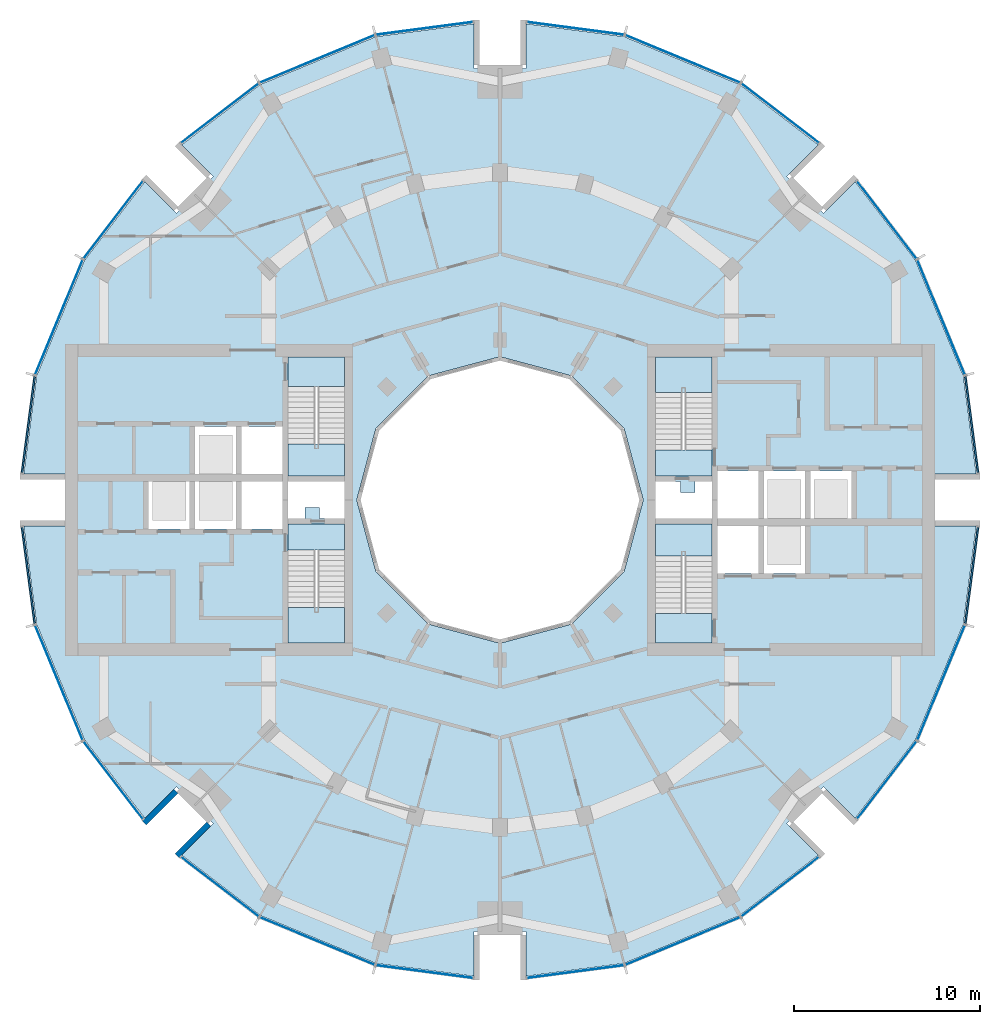
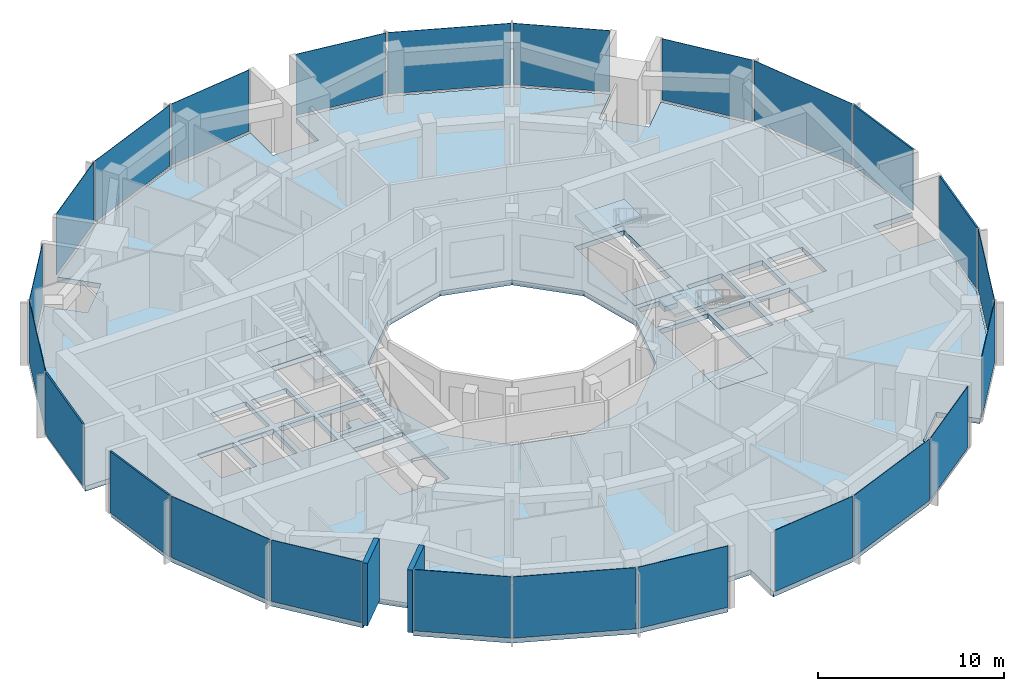
# One storey, part 7 of 15: 24 plates, 9 slabs, 2 walls, 28 elements without a shape of their own.
"""IFC4 building model written with IfcOpenShell, lengths in metres."""

import ifcopenshell
import ifcopenshell.guid

model = None  # the IFC model being written
_history = None  # IfcOwnerHistory: only IFC2X3 demands one
_inside = {}  # id of a spatial element -> (the spatial element, [elements in it])
_under = {}  # id of a project, library or spatial element -> (it, [spatial elements below it])
_declared = {}  # id of a project -> (the project, [libraries it declares])
_typed = {}  # id of a type object -> (the type object, [elements of that type])
_made_of = {}  # id of a material, layer set ... -> (it, [elements and type objects made of it])


def new_model(schema):
    """Start an empty IFC model of exactly this schema.

    Asked for "IFC4X3", IfcOpenShell would pick the latest addendum, in which some entities
    have other attributes; the version numbers below select the first issue.
    IFC2X3 requires an IfcOwnerHistory on every rooted entity: one is made here for all.
    """
    global model, _history
    if schema == "IFC4X3":
        model = ifcopenshell.file(schema_version=(4, 3, 0, 0))
    else:
        model = ifcopenshell.file(schema=schema)
    _inside.clear()
    _under.clear()
    _declared.clear()
    _typed.clear()
    _made_of.clear()
    _history = None
    if model.schema == "IFC2X3":
        org = make("IfcOrganization", Name="unknown")
        user = make(
            "IfcPersonAndOrganization",
            ThePerson=make("IfcPerson", FamilyName="unknown"),
            TheOrganization=org,
        )
        app = make(
            "IfcApplication",
            ApplicationDeveloper=org,
            Version="unknown",
            ApplicationFullName="unknown",
            ApplicationIdentifier="unknown",
        )
        _history = make(
            "IfcOwnerHistory",
            OwningUser=user,
            OwningApplication=app,
            ChangeAction="ADDED",
            CreationDate=0,
        )
    return model


def make(cls, **values):
    """One entity of the class cls with the attributes given. An attribute that is None is left unset."""
    return model.create_entity(
        cls, **{name: value for name, value in values.items() if value is not None}
    )


def rooted(cls, **values):
    """An entity with a GlobalId (a new one), such as an element, a storey or a relation."""
    return make(cls, GlobalId=ifcopenshell.guid.new(), OwnerHistory=_history, **values)


def si_unit(unit_type, name, prefix=None):
    """IfcSIUnit, for example si_unit("LENGTHUNIT", "METRE", prefix="MILLI")."""
    return make("IfcSIUnit", UnitType=unit_type, Prefix=prefix, Name=name)


def assignment(units):
    """IfcUnitAssignment: the units of a project."""
    return None if units is None else make("IfcUnitAssignment", Units=units)


def point(xyz):
    """IfcCartesianPoint."""
    return None if xyz is None else make("IfcCartesianPoint", Coordinates=xyz)


def direction(xyz):
    """IfcDirection."""
    return None if xyz is None else make("IfcDirection", DirectionRatios=xyz)


def frame(location, z_axis=None, x_axis=None):
    """IfcAxis2Placement3D, a coordinate frame: its origin and axes. An axis left out is left unset."""
    return make(
        "IfcAxis2Placement3D",
        Location=point(location),
        Axis=direction(z_axis),
        RefDirection=direction(x_axis),
    )


def frame_2d(location, x_axis=None):
    """IfcAxis2Placement2D, a coordinate frame in the plane: its origin and x axis."""
    return make(
        "IfcAxis2Placement2D", Location=point(location), RefDirection=direction(x_axis)
    )


def origin():
    """The frame at (0, 0, 0) with its axes left unset."""
    return frame((0.0, 0.0, 0.0))


def origin_2d():
    """The frame at (0, 0) in the plane with its x axis left unset."""
    return frame_2d((0.0, 0.0))


def place(relative_to, where):
    """IfcLocalPlacement: puts the frame where relative to a parent placement (None: the world)."""
    return make(
        "IfcLocalPlacement", PlacementRelTo=relative_to, RelativePlacement=where
    )


def context(
    kind, dimensions, precision=None, world=None, true_north=None, identifier=None
):
    """IfcGeometricRepresentationContext, for example the 3D "Model" context."""
    return make(
        "IfcGeometricRepresentationContext",
        ContextIdentifier=identifier,
        ContextType=kind,
        CoordinateSpaceDimension=dimensions,
        Precision=precision,
        WorldCoordinateSystem=world,
        TrueNorth=true_north,
    )


def subcontext(parent, identifier, kind, view, scale=None):
    """IfcGeometricRepresentationSubContext, for example "Body" below "Model"."""
    return make(
        "IfcGeometricRepresentationSubContext",
        ContextIdentifier=identifier,
        ContextType=kind,
        ParentContext=parent,
        TargetScale=scale,
        TargetView=view,
    )


def project(units=None, contexts=None):
    """IfcProject with its units and contexts."""
    return rooted(
        "IfcProject",
        Name="project",
        RepresentationContexts=contexts,
        UnitsInContext=assignment(units),
    )


def spatial(cls, under=None, at=None, **own):
    """A site, building, storey or space (cls), placed at a placement, below another one or the project."""
    s = rooted(cls, ObjectPlacement=at, **own)
    if under is not None:
        _under.setdefault(under.id(), (under, []))[1].append(s)
    return s


def polyline(points):
    """IfcPolyline through the points."""
    return make("IfcPolyline", Points=[point(p) for p in points])


def profile(cls, at=None, kind="AREA", **sizes):
    """A parametric profile (cls). Its sizes go by their IFC names, for example OverallWidth=200.0."""
    return make(cls, ProfileType=kind, Position=at, **sizes)


def rectangle(**sizes):
    """IfcRectangleProfileDef."""
    return profile("IfcRectangleProfileDef", **sizes)


def outline(outer, holes=None, kind="AREA"):
    """IfcArbitraryClosedProfileDef: a profile drawn as a closed curve; with holes, ...WithVoids."""
    if holes is None:
        return make("IfcArbitraryClosedProfileDef", ProfileType=kind, OuterCurve=outer)
    return make(
        "IfcArbitraryProfileDefWithVoids",
        ProfileType=kind,
        OuterCurve=outer,
        InnerCurves=holes,
    )


def extrude(swept, where, along, depth):
    """IfcExtrudedAreaSolid: the profile swept, set in the frame where, extruded along a direction by depth."""
    return make(
        "IfcExtrudedAreaSolid",
        SweptArea=swept,
        Position=where,
        ExtrudedDirection=direction(along),
        Depth=depth,
    )


def shape(context_of_items, identifier, shape_type, items):
    """IfcShapeRepresentation: the items that make up one representation, for example the "Body"."""
    return make(
        "IfcShapeRepresentation",
        ContextOfItems=context_of_items,
        RepresentationIdentifier=identifier,
        RepresentationType=shape_type,
        Items=items,
    )


def material(Name=None, Category=None):
    """IfcMaterial."""
    return make("IfcMaterial", Name=Name, Category=Category)


def layer(
    of_material, thickness, ventilated=None, Name=None, Category=None, Priority=None
):
    """IfcMaterialLayer: one layer of a wall or slab, of a material (None: an air gap)."""
    return make(
        "IfcMaterialLayer",
        Material=of_material,
        LayerThickness=thickness,
        IsVentilated=ventilated,
        Name=Name,
        Category=Category,
        Priority=Priority,
    )


def layer_set(layers, Name=None):
    """IfcMaterialLayerSet."""
    return make("IfcMaterialLayerSet", MaterialLayers=layers, LayerSetName=Name)


def made_of(thing, what):
    """Note that an element or type object is made of a material, layer set ...; save() writes the relation."""
    if what is not None:
        _made_of.setdefault(what.id(), (what, []))[1].append(thing)
    return thing


def type_object(cls, material=None, **own):
    """A type object (cls), such as IfcWallType, which elements share."""
    return made_of(rooted(cls, **own), material)


def element(
    cls,
    number,
    at=None,
    inside=None,
    cuts=None,
    type_object=None,
    material=None,
    context=None,
    identifier="Body",
    shape_type=None,
    held_by="IfcProductDefinitionShape",
    body=None,
    shapes=None,
    **own,
):
    """One element of the class cls, such as IfcWall. Its Tag is "e" and its number.

    at: its placement. inside: the storey or other place that contains it. cuts: it is an
    opening in that element (IfcRelVoidsElement). A single representation is given by context,
    identifier, shape_type and body (its items); several are given by shapes. held_by: the class
    of the entity that holds the representations. save() writes the other relations.
    """
    e = rooted(cls, Tag="e%d" % number, ObjectPlacement=at, **own)
    if body is not None:
        shapes = [shape(context, identifier, shape_type, body)]
    if shapes is not None:
        e.Representation = make(held_by, Representations=shapes)
    if inside is not None:
        _inside.setdefault(inside.id(), (inside, []))[1].append(e)
    if cuts is not None:
        rooted(
            "IfcRelVoidsElement", RelatingBuildingElement=cuts, RelatedOpeningElement=e
        )
    if type_object is not None:
        _typed.setdefault(type_object.id(), (type_object, []))[1].append(e)
    return made_of(e, material)


def aggregate(whole, parts):
    """IfcRelAggregates: a whole, such as a stair, and the parts it consists of."""
    return rooted("IfcRelAggregates", RelatingObject=whole, RelatedObjects=parts)


def save(model, path):
    """Write the relations noted so far, then the file.

    IfcRelAggregates (storeys below a building ...), IfcRelContainedInSpatialStructure (elements
    in a storey), IfcRelDefinesByType, IfcRelAssociatesMaterial and IfcRelDeclares: one each for
    every whole, place, type object, material and project.
    """
    for whole, parts in _under.values():
        aggregate(whole, parts)
    for where, things in _inside.values():
        rooted(
            "IfcRelContainedInSpatialStructure",
            RelatedElements=things,
            RelatingStructure=where,
        )
    for kind, things in _typed.values():
        rooted("IfcRelDefinesByType", RelatedObjects=things, RelatingType=kind)
    for what, things in _made_of.values():
        rooted("IfcRelAssociatesMaterial", RelatedObjects=things, RelatingMaterial=what)
    for by, libraries in _declared.values():
        rooted("IfcRelDeclares", RelatingContext=by, RelatedDefinitions=libraries)
    model.write(path)


model = new_model("IFC4")

# Units and contexts
model_context = context("Model", 3, precision=1e-05, world=origin(), true_north=direction((0.0, 1.0)))
body_context = subcontext(model_context, "Body", "Model", "MODEL_VIEW")
ifc_project = project(units=[si_unit("LENGTHUNIT", "METRE"), si_unit("AREAUNIT", "SQUARE_METRE"), si_unit("VOLUMEUNIT", "CUBIC_METRE"), si_unit("PLANEANGLEUNIT", "RADIAN"), si_unit("MASSUNIT", "GRAM", prefix="KILO")], contexts=[model_context])

# Site, building, storey
site_placement = place(None, origin())
site = spatial("IfcSite", under=ifc_project, at=site_placement, CompositionType="ELEMENT")
building_placement = place(site_placement, origin())
building = spatial("IfcBuilding", under=site, at=building_placement, Name="Torre Brocal", CompositionType="ELEMENT")
storey_placement = place(building_placement, frame((0.0, 0.0, 165.89990234375)))
storey = spatial("IfcBuildingStorey", under=building, at=storey_placement, Name="L38", CompositionType="ELEMENT", Elevation=165.89990234375)

# Curtain wall, plate
ifc_material_1 = material(Name="Aluminium and glass", Category="aluminium")
ifc_layer_1 = layer(ifc_material_1, 0.199951171875)
ifc_layer_set_1 = layer_set([ifc_layer_1], Name="Aluminium and glass")
curtain_wall_type_1 = type_object("IfcCurtainWallType", Name="CW-1 CURTAIN WALL 4100 HIGH", PredefinedType="NOTDEFINED", material=ifc_layer_set_1)
curtain_wall_1_placement = place(storey_placement, origin())
curtain_wall_1 = element("IfcCurtainWall", 1, at=curtain_wall_1_placement, inside=storey, type_object=curtain_wall_type_1, Name="CW-1 RUN 2", PredefinedType="NOTDEFINED")
ifc_material_2 = material(Name="Glass, dark tinted laminated", Category="glass")
ifc_layer_2 = layer(ifc_material_2, 0.031982421875)
ifc_layer_set_2 = layer_set([ifc_layer_2], Name="Glass, dark tinted laminated")
plate_type_1 = type_object("IfcPlateType", Name="CW-1 GLASS PANEL 32", PredefinedType="CURTAIN_PANEL", material=ifc_layer_set_2)
plate_1_placement = place(storey_placement, frame((103.722900390625, 84.826416015625, 0.080078125), z_axis=(0.0, 0.0, 1.0), x_axis=(-0.382683432333, 0.923879532525, 0.0)))
plate_1 = element("IfcPlate", 2, at=plate_1_placement, type_object=plate_type_1, Name="CW1-4 panel 1.1", PredefinedType="CURTAIN_PANEL", context=body_context, shape_type="SweptSolid", body=[
    extrude(rectangle(XDim=6.64111328125, YDim=0.031982421875, at=origin_2d()), origin(), (0.0, 0.0, 1.0), 4.02001953125),
])
aggregate(curtain_wall_1, [plate_1])

curtain_wall_2_placement = place(storey_placement, origin())
curtain_wall_2 = element("IfcCurtainWall", 3, at=curtain_wall_2_placement, inside=storey, type_object=curtain_wall_type_1, Name="CW-1 RUN 3", PredefinedType="NOTDEFINED")
plate_2_placement = place(storey_placement, frame((100.80126953125, 90.0712890625, 0.080078125), z_axis=(0.0, 0.0, 1.0), x_axis=(-0.60876142905, 0.793353340259, 0.0)))
plate_2 = element("IfcPlate", 4, at=plate_2_placement, type_object=plate_type_1, Name="CW1-4 panel 1.1", PredefinedType="CURTAIN_PANEL", context=body_context, shape_type="SweptSolid", body=[
    extrude(rectangle(XDim=5.22900390625, YDim=0.031982421875, at=origin_2d()), origin(), (0.0, 0.0, 1.0), 4.02001953125),
])
aggregate(curtain_wall_2, [plate_2])

curtain_wall_3_placement = place(storey_placement, origin())
curtain_wall_3 = element("IfcCurtainWall", 5, at=curtain_wall_3_placement, inside=storey, type_object=curtain_wall_type_1, Name="CW-1 RUN 4", PredefinedType="NOTDEFINED")
plate_3_placement = place(storey_placement, frame((95.0712890625, 95.80126953125, 0.080078125), z_axis=(0.0, 0.0, 1.0), x_axis=(-0.793353340259, 0.60876142905, 0.0)))
plate_3 = element("IfcPlate", 6, at=plate_3_placement, type_object=plate_type_1, Name="CW1-4 panel 1.1", PredefinedType="CURTAIN_PANEL", context=body_context, shape_type="SweptSolid", body=[
    extrude(rectangle(XDim=5.22900390625, YDim=0.031982421875, at=origin_2d()), origin(), (0.0, 0.0, 1.0), 4.02001953125),
])
aggregate(curtain_wall_3, [plate_3])

curtain_wall_4_placement = place(storey_placement, origin())
curtain_wall_4 = element("IfcCurtainWall", 7, at=curtain_wall_4_placement, inside=storey, type_object=curtain_wall_type_1, Name="CW-1 RUN 5", PredefinedType="NOTDEFINED")
plate_4_placement = place(storey_placement, frame((89.826416015625, 98.722900390625, 0.080078125), z_axis=(0.0, 0.0, 1.0), x_axis=(-0.923879532525, 0.382683432333, 0.0)))
plate_4 = element("IfcPlate", 8, at=plate_4_placement, type_object=plate_type_1, Name="CW1-4 panel 1.1", PredefinedType="CURTAIN_PANEL", context=body_context, shape_type="SweptSolid", body=[
    extrude(rectangle(XDim=6.64111328125, YDim=0.031982421875, at=origin_2d()), origin(), (0.0, 0.0, 1.0), 4.02001953125),
])
aggregate(curtain_wall_4, [plate_4])

curtain_wall_5_placement = place(storey_placement, origin())
curtain_wall_5 = element("IfcCurtainWall", 9, at=curtain_wall_5_placement, inside=storey, type_object=curtain_wall_type_1, Name="CW-1 RUN 6", PredefinedType="NOTDEFINED")
plate_5_placement = place(storey_placement, frame((84.051513671875, 100.36572265625, 0.080078125), z_axis=(0.0, 0.0, 1.0), x_axis=(-0.991444861374, 0.13052619222, 0.0)))
plate_5 = element("IfcPlate", 10, at=plate_5_placement, type_object=plate_type_1, Name="CW1-4 panel 1.1", PredefinedType="CURTAIN_PANEL", context=body_context, shape_type="SweptSolid", body=[
    extrude(rectangle(XDim=5.22900390625, YDim=0.031982421875, at=origin_2d()), origin(), (0.0, 0.0, 1.0), 4.02001953125),
])
aggregate(curtain_wall_5, [plate_5])

curtain_wall_6_placement = place(storey_placement, origin())
curtain_wall_6 = element("IfcCurtainWall", 11, at=curtain_wall_6_placement, inside=storey, type_object=curtain_wall_type_1, Name="CW-1 RUN 7", PredefinedType="NOTDEFINED")
plate_6_placement = place(storey_placement, frame((75.948486328125, 100.36572265625, 0.080078125), z_axis=(0.0, 0.0, 1.0), x_axis=(-0.991444861374, -0.13052619222, 0.0)))
plate_6 = element("IfcPlate", 12, at=plate_6_placement, type_object=plate_type_1, Name="CW1-4 panel 1.1", PredefinedType="CURTAIN_PANEL", context=body_context, shape_type="SweptSolid", body=[
    extrude(rectangle(XDim=5.22900390625, YDim=0.031982421875, at=origin_2d()), origin(), (0.0, 0.0, 1.0), 4.02001953125),
])
aggregate(curtain_wall_6, [plate_6])

curtain_wall_7_placement = place(storey_placement, origin())
curtain_wall_7 = element("IfcCurtainWall", 13, at=curtain_wall_7_placement, inside=storey, type_object=curtain_wall_type_1, Name="CW-1 RUN 8", PredefinedType="NOTDEFINED")
plate_7_placement = place(storey_placement, frame((70.173583984375, 98.722900390625, 0.080078125), z_axis=(0.0, 0.0, 1.0), x_axis=(-0.923879532525, -0.382683432333, 0.0)))
plate_7 = element("IfcPlate", 14, at=plate_7_placement, type_object=plate_type_1, Name="CW1-4 panel 1.1", PredefinedType="CURTAIN_PANEL", context=body_context, shape_type="SweptSolid", body=[
    extrude(rectangle(XDim=6.64111328125, YDim=0.031982421875, at=origin_2d()), origin(), (0.0, 0.0, 1.0), 4.02001953125),
])
aggregate(curtain_wall_7, [plate_7])

curtain_wall_8_placement = place(storey_placement, origin())
curtain_wall_8 = element("IfcCurtainWall", 15, at=curtain_wall_8_placement, inside=storey, type_object=curtain_wall_type_1, Name="CW-1 RUN 9", PredefinedType="NOTDEFINED")
plate_8_placement = place(storey_placement, frame((64.9287109375, 95.80126953125, 0.080078125), z_axis=(0.0, 0.0, 1.0), x_axis=(-0.793353340259, -0.60876142905, 0.0)))
plate_8 = element("IfcPlate", 16, at=plate_8_placement, type_object=plate_type_1, Name="CW1-4 panel 1.1", PredefinedType="CURTAIN_PANEL", context=body_context, shape_type="SweptSolid", body=[
    extrude(rectangle(XDim=5.22900390625, YDim=0.031982421875, at=origin_2d()), origin(), (0.0, 0.0, 1.0), 4.02001953125),
])
aggregate(curtain_wall_8, [plate_8])

curtain_wall_9_placement = place(storey_placement, origin())
curtain_wall_9 = element("IfcCurtainWall", 17, at=curtain_wall_9_placement, inside=storey, type_object=curtain_wall_type_1, Name="CW-1 RUN 10", PredefinedType="NOTDEFINED")
plate_9_placement = place(storey_placement, frame((59.19873046875, 90.0712890625, 0.080078125), z_axis=(0.0, 0.0, 1.0), x_axis=(-0.60876142905, -0.793353340259, 0.0)))
plate_9 = element("IfcPlate", 18, at=plate_9_placement, type_object=plate_type_1, Name="CW1-4 panel 1.1", PredefinedType="CURTAIN_PANEL", context=body_context, shape_type="SweptSolid", body=[
    extrude(rectangle(XDim=5.22900390625, YDim=0.031982421875, at=origin_2d()), origin(), (0.0, 0.0, 1.0), 4.02001953125),
])
aggregate(curtain_wall_9, [plate_9])

curtain_wall_10_placement = place(storey_placement, origin())
curtain_wall_10 = element("IfcCurtainWall", 19, at=curtain_wall_10_placement, inside=storey, type_object=curtain_wall_type_1, Name="CW-1 RUN 11", PredefinedType="NOTDEFINED")
plate_10_placement = place(storey_placement, frame((56.277099609375, 84.826416015625, 0.080078125), z_axis=(0.0, 0.0, 1.0), x_axis=(-0.382683432333, -0.923879532525, 0.0)))
plate_10 = element("IfcPlate", 20, at=plate_10_placement, type_object=plate_type_1, Name="CW1-4 panel 1.1", PredefinedType="CURTAIN_PANEL", context=body_context, shape_type="SweptSolid", body=[
    extrude(rectangle(XDim=6.64111328125, YDim=0.031982421875, at=origin_2d()), origin(), (0.0, 0.0, 1.0), 4.02001953125),
])
aggregate(curtain_wall_10, [plate_10])

curtain_wall_11_placement = place(storey_placement, origin())
curtain_wall_11 = element("IfcCurtainWall", 21, at=curtain_wall_11_placement, inside=storey, type_object=curtain_wall_type_1, Name="CW-1 RUN 14", PredefinedType="NOTDEFINED")
plate_11_placement = place(storey_placement, frame((56.277099609375, 65.173583984375, 0.080078125), z_axis=(0.0, 0.0, 1.0), x_axis=(0.382683432333, -0.923879532525, 0.0)))
plate_11 = element("IfcPlate", 22, at=plate_11_placement, type_object=plate_type_1, Name="CW1-4 panel 1.1", PredefinedType="CURTAIN_PANEL", context=body_context, shape_type="SweptSolid", body=[
    extrude(rectangle(XDim=6.64111328125, YDim=0.031982421875, at=origin_2d()), origin(), (0.0, 0.0, 1.0), 4.02001953125),
])
aggregate(curtain_wall_11, [plate_11])

curtain_wall_12_placement = place(storey_placement, origin())
curtain_wall_12 = element("IfcCurtainWall", 23, at=curtain_wall_12_placement, inside=storey, type_object=curtain_wall_type_1, Name="CW-1 RUN 15", PredefinedType="NOTDEFINED")
plate_12_placement = place(storey_placement, frame((59.19873046875, 59.9287109375, 0.080078125), z_axis=(0.0, 0.0, 1.0), x_axis=(0.60876142905, -0.793353340259, 0.0)))
plate_12 = element("IfcPlate", 24, at=plate_12_placement, type_object=plate_type_1, Name="CW1-4 panel 1.1", PredefinedType="CURTAIN_PANEL", context=body_context, shape_type="SweptSolid", body=[
    extrude(rectangle(XDim=5.22900390625, YDim=0.031982421875, at=origin_2d()), origin(), (0.0, 0.0, 1.0), 4.02001953125),
])
aggregate(curtain_wall_12, [plate_12])

curtain_wall_13_placement = place(storey_placement, origin())
curtain_wall_13 = element("IfcCurtainWall", 25, at=curtain_wall_13_placement, inside=storey, type_object=curtain_wall_type_1, Name="CW-1 RUN 16", PredefinedType="NOTDEFINED")
plate_13_placement = place(storey_placement, frame((64.9287109375, 54.19873046875, 0.080078125), z_axis=(0.0, 0.0, 1.0), x_axis=(0.793353340259, -0.60876142905, 0.0)))
plate_13 = element("IfcPlate", 26, at=plate_13_placement, type_object=plate_type_1, Name="CW1-4 panel 1.1", PredefinedType="CURTAIN_PANEL", context=body_context, shape_type="SweptSolid", body=[
    extrude(rectangle(XDim=5.22900390625, YDim=0.031982421875, at=origin_2d()), origin(), (0.0, 0.0, 1.0), 4.02001953125),
])
aggregate(curtain_wall_13, [plate_13])

curtain_wall_14_placement = place(storey_placement, origin())
curtain_wall_14 = element("IfcCurtainWall", 27, at=curtain_wall_14_placement, inside=storey, type_object=curtain_wall_type_1, Name="CW-1 RUN 17", PredefinedType="NOTDEFINED")
plate_14_placement = place(storey_placement, frame((70.173583984375, 51.277099609375, 0.080078125), z_axis=(0.0, 0.0, 1.0), x_axis=(0.923879532525, -0.382683432333, 0.0)))
plate_14 = element("IfcPlate", 28, at=plate_14_placement, type_object=plate_type_1, Name="CW1-4 panel 1.1", PredefinedType="CURTAIN_PANEL", context=body_context, shape_type="SweptSolid", body=[
    extrude(rectangle(XDim=6.64111328125, YDim=0.031982421875, at=origin_2d()), origin(), (0.0, 0.0, 1.0), 4.02001953125),
])
aggregate(curtain_wall_14, [plate_14])

curtain_wall_15_placement = place(storey_placement, origin())
curtain_wall_15 = element("IfcCurtainWall", 29, at=curtain_wall_15_placement, inside=storey, type_object=curtain_wall_type_1, Name="CW-1 RUN 18", PredefinedType="NOTDEFINED")
plate_15_placement = place(storey_placement, frame((75.948486328125, 49.63427734375, 0.080078125), z_axis=(0.0, 0.0, 1.0), x_axis=(0.991444861374, -0.13052619222, 0.0)))
plate_15 = element("IfcPlate", 30, at=plate_15_placement, type_object=plate_type_1, Name="CW1-4 panel 1.1", PredefinedType="CURTAIN_PANEL", context=body_context, shape_type="SweptSolid", body=[
    extrude(rectangle(XDim=5.22900390625, YDim=0.031982421875, at=origin_2d()), origin(), (0.0, 0.0, 1.0), 4.02001953125),
])
aggregate(curtain_wall_15, [plate_15])

curtain_wall_16_placement = place(storey_placement, origin())
curtain_wall_16 = element("IfcCurtainWall", 31, at=curtain_wall_16_placement, inside=storey, type_object=curtain_wall_type_1, Name="CW-1 RUN 19", PredefinedType="NOTDEFINED")
plate_16_placement = place(storey_placement, frame((84.051513671875, 49.63427734375, 0.080078125), z_axis=(0.0, 0.0, 1.0), x_axis=(0.991444861374, 0.13052619222, 0.0)))
plate_16 = element("IfcPlate", 32, at=plate_16_placement, type_object=plate_type_1, Name="CW1-4 panel 1.1", PredefinedType="CURTAIN_PANEL", context=body_context, shape_type="SweptSolid", body=[
    extrude(rectangle(XDim=5.22900390625, YDim=0.031982421875, at=origin_2d()), origin(), (0.0, 0.0, 1.0), 4.02001953125),
])
aggregate(curtain_wall_16, [plate_16])

curtain_wall_17_placement = place(storey_placement, origin())
curtain_wall_17 = element("IfcCurtainWall", 33, at=curtain_wall_17_placement, inside=storey, type_object=curtain_wall_type_1, Name="CW-1 RUN 20", PredefinedType="NOTDEFINED")
plate_17_placement = place(storey_placement, frame((89.826416015625, 51.277099609375, 0.080078125), z_axis=(0.0, 0.0, 1.0), x_axis=(0.923879532525, 0.382683432333, 0.0)))
plate_17 = element("IfcPlate", 34, at=plate_17_placement, type_object=plate_type_1, Name="CW1-4 panel 1.1", PredefinedType="CURTAIN_PANEL", context=body_context, shape_type="SweptSolid", body=[
    extrude(rectangle(XDim=6.64111328125, YDim=0.031982421875, at=origin_2d()), origin(), (0.0, 0.0, 1.0), 4.02001953125),
])
aggregate(curtain_wall_17, [plate_17])

curtain_wall_18_placement = place(storey_placement, origin())
curtain_wall_18 = element("IfcCurtainWall", 35, at=curtain_wall_18_placement, inside=storey, type_object=curtain_wall_type_1, Name="CW-1 RUN 21", PredefinedType="NOTDEFINED")
plate_18_placement = place(storey_placement, frame((95.0712890625, 54.19873046875, 0.080078125), z_axis=(0.0, 0.0, 1.0), x_axis=(0.793353340259, 0.60876142905, 0.0)))
plate_18 = element("IfcPlate", 36, at=plate_18_placement, type_object=plate_type_1, Name="CW1-4 panel 1.1", PredefinedType="CURTAIN_PANEL", context=body_context, shape_type="SweptSolid", body=[
    extrude(rectangle(XDim=5.22900390625, YDim=0.031982421875, at=origin_2d()), origin(), (0.0, 0.0, 1.0), 4.02001953125),
])
aggregate(curtain_wall_18, [plate_18])

curtain_wall_19_placement = place(storey_placement, origin())
curtain_wall_19 = element("IfcCurtainWall", 37, at=curtain_wall_19_placement, inside=storey, type_object=curtain_wall_type_1, Name="CW-1 RUN 22", PredefinedType="NOTDEFINED")
plate_19_placement = place(storey_placement, frame((100.80126953125, 59.9287109375, 0.080078125), z_axis=(0.0, 0.0, 1.0), x_axis=(0.60876142905, 0.793353340259, 0.0)))
plate_19 = element("IfcPlate", 38, at=plate_19_placement, type_object=plate_type_1, Name="CW1-4 panel 1.1", PredefinedType="CURTAIN_PANEL", context=body_context, shape_type="SweptSolid", body=[
    extrude(rectangle(XDim=5.22900390625, YDim=0.031982421875, at=origin_2d()), origin(), (0.0, 0.0, 1.0), 4.02001953125),
])
aggregate(curtain_wall_19, [plate_19])

curtain_wall_20_placement = place(storey_placement, origin())
curtain_wall_20 = element("IfcCurtainWall", 39, at=curtain_wall_20_placement, inside=storey, type_object=curtain_wall_type_1, Name="CW-1 RUN 23", PredefinedType="NOTDEFINED")
plate_20_placement = place(storey_placement, frame((103.722900390625, 65.173583984375, 0.080078125), z_axis=(0.0, 0.0, 1.0), x_axis=(0.382683432333, 0.923879532525, 0.0)))
plate_20 = element("IfcPlate", 40, at=plate_20_placement, type_object=plate_type_1, Name="CW1-4 panel 1.1", PredefinedType="CURTAIN_PANEL", context=body_context, shape_type="SweptSolid", body=[
    extrude(rectangle(XDim=6.64111328125, YDim=0.031982421875, at=origin_2d()), origin(), (0.0, 0.0, 1.0), 4.02001953125),
])
aggregate(curtain_wall_20, [plate_20])

ifc_material_3 = material(Name="Aluminium and glass", Category="aluminium")
ifc_layer_3 = layer(ifc_material_3, 0.199951171875)
ifc_layer_set_3 = layer_set([ifc_layer_3], Name="Aluminium and glass")
curtain_wall_type_2 = type_object("IfcCurtainWallType", Name="CW-1B CURTAIN WALL 4100 HIGH", PredefinedType="NOTDEFINED", material=ifc_layer_set_3)
curtain_wall_21_placement = place(storey_placement, origin())
curtain_wall_21 = element("IfcCurtainWall", 41, at=curtain_wall_21_placement, inside=storey, type_object=curtain_wall_type_2, Name="CW-1B RUN 1", PredefinedType="NOTDEFINED")
ifc_material_4 = material(Name="Aluminium composite panel", Category="aluminium")
ifc_layer_4 = layer(ifc_material_4, 0.10009765625)
ifc_layer_set_4 = layer_set([ifc_layer_4], Name="Aluminium composite panel")
plate_type_2 = type_object("IfcPlateType", Name="CW-1B OPAQUE PANEL 100", PredefinedType="CURTAIN_PANEL", material=ifc_layer_set_4)
plate_21_placement = place(storey_placement, frame((105.36572265625, 79.051513671875, 0.080078125), z_axis=(0.0, 0.0, 1.0), x_axis=(-0.13052619222, 0.991444861374, 0.0)))
plate_21 = element("IfcPlate", 42, at=plate_21_placement, type_object=plate_type_2, Name="CW1B-4 panel 1.1", PredefinedType="CURTAIN_PANEL", context=body_context, shape_type="SweptSolid", body=[
    extrude(rectangle(XDim=5.22900390625, YDim=0.10009765625, at=origin_2d()), origin(), (0.0, 0.0, 1.0), 4.02001953125),
])
aggregate(curtain_wall_21, [plate_21])

curtain_wall_22_placement = place(storey_placement, origin())
curtain_wall_22 = element("IfcCurtainWall", 43, at=curtain_wall_22_placement, inside=storey, type_object=curtain_wall_type_2, Name="CW-1B RUN 12", PredefinedType="NOTDEFINED")
plate_22_placement = place(storey_placement, frame((54.63427734375, 79.051513671875, 0.080078125), z_axis=(0.0, 0.0, 1.0), x_axis=(-0.13052619222, -0.991444861374, 0.0)))
plate_22 = element("IfcPlate", 44, at=plate_22_placement, type_object=plate_type_2, Name="CW1B-4 panel 1.1", PredefinedType="CURTAIN_PANEL", context=body_context, shape_type="SweptSolid", body=[
    extrude(rectangle(XDim=5.22900390625, YDim=0.10009765625, at=origin_2d()), origin(), (0.0, 0.0, 1.0), 4.02001953125),
])
aggregate(curtain_wall_22, [plate_22])

curtain_wall_23_placement = place(storey_placement, origin())
curtain_wall_23 = element("IfcCurtainWall", 45, at=curtain_wall_23_placement, inside=storey, type_object=curtain_wall_type_2, Name="CW-1B RUN 13", PredefinedType="NOTDEFINED")
plate_23_placement = place(storey_placement, frame((54.63427734375, 70.948486328125, 0.080078125), z_axis=(0.0, 0.0, 1.0), x_axis=(0.13052619222, -0.991444861374, 0.0)))
plate_23 = element("IfcPlate", 46, at=plate_23_placement, type_object=plate_type_2, Name="CW1B-4 panel 1.1", PredefinedType="CURTAIN_PANEL", context=body_context, shape_type="SweptSolid", body=[
    extrude(rectangle(XDim=5.22900390625, YDim=0.10009765625, at=origin_2d()), origin(), (0.0, 0.0, 1.0), 4.02001953125),
])
aggregate(curtain_wall_23, [plate_23])

curtain_wall_24_placement = place(storey_placement, origin())
curtain_wall_24 = element("IfcCurtainWall", 47, at=curtain_wall_24_placement, inside=storey, type_object=curtain_wall_type_2, Name="CW-1B RUN 24", PredefinedType="NOTDEFINED")
plate_24_placement = place(storey_placement, frame((105.36572265625, 70.948486328125, 0.080078125), z_axis=(0.0, 0.0, 1.0), x_axis=(0.13052619222, 0.991444861374, 0.0)))
plate_24 = element("IfcPlate", 48, at=plate_24_placement, type_object=plate_type_2, Name="CW1B-4 panel 1.1", PredefinedType="CURTAIN_PANEL", context=body_context, shape_type="SweptSolid", body=[
    extrude(rectangle(XDim=5.22900390625, YDim=0.10009765625, at=origin_2d()), origin(), (0.0, 0.0, 1.0), 4.02001953125),
])
aggregate(curtain_wall_24, [plate_24])

# Stair, slab
ifc_material_5 = material(Name="Concrete C50", Category="concrete")
stair_type = type_object("IfcStairType", Name="EXIT STAIR", PredefinedType="HALF_TURN_STAIR", material=ifc_material_5)
stair_1_placement = place(storey_placement, origin())
stair_1 = element("IfcStair", 49, at=stair_1_placement, inside=storey, type_object=stair_type, Name="EXIT STAIR ST1", PredefinedType="HALF_TURN_STAIR")
ifc_material_6 = material(Name="Concrete C50", Category="concrete")
ifc_layer_5 = layer(ifc_material_6, 0.320068359375)
ifc_layer_set_5 = layer_set([ifc_layer_5], Name="Concrete C50")
slab_type_1 = type_object("IfcSlabType", Name="FLOOR LANDING 320", PredefinedType="LANDING", material=ifc_layer_set_5)
slab_1_placement = place(storey_placement, frame((0.0, 0.0, -0.31982421875)))
slab_1 = element("IfcSlab", 50, at=slab_1_placement, type_object=slab_type_1, Name="ST1 landing 1", PredefinedType="LANDING", context=body_context, shape_type="SweptSolid", body=[
    extrude(outline(polyline([(88.35009765625, 76.300048828125), (91.39990234375, 76.300048828125), (91.39990234375, 77.699951171875), (88.35009765625, 77.699951171875), (88.35009765625, 76.300048828125)])), origin(), (0.0, 0.0, 1.0), 0.31982421875),
])

stair_2_placement = place(storey_placement, origin())
stair_2 = element("IfcStair", 51, at=stair_2_placement, inside=storey, type_object=stair_type, Name="EXIT STAIR ST2", PredefinedType="HALF_TURN_STAIR")
slab_2_placement = place(storey_placement, frame((0.0, 0.0, -0.31982421875)))
slab_2 = element("IfcSlab", 52, at=slab_2_placement, type_object=slab_type_1, Name="ST2 landing 1", PredefinedType="LANDING", context=body_context, shape_type="SweptSolid", body=[
    extrude(outline(polyline([(88.35009765625, 67.300048828125), (91.39990234375, 67.300048828125), (91.39990234375, 68.89990234375), (88.35009765625, 68.89990234375), (88.35009765625, 67.300048828125)])), origin(), (0.0, 0.0, 1.0), 0.31982421875),
])

stair_3_placement = place(storey_placement, origin())
stair_3 = element("IfcStair", 53, at=stair_3_placement, inside=storey, type_object=stair_type, Name="EXIT STAIR ST3", PredefinedType="HALF_TURN_STAIR")
slab_3_placement = place(storey_placement, frame((0.0, 0.0, -0.31982421875)))
slab_3 = element("IfcSlab", 54, at=slab_3_placement, type_object=slab_type_1, Name="ST3 landing 1", PredefinedType="LANDING", context=body_context, shape_type="SweptSolid", body=[
    extrude(outline(polyline([(71.64990234375, 73.699951171875), (68.60009765625, 73.699951171875), (68.60009765625, 72.300048828125), (71.64990234375, 72.300048828125), (71.64990234375, 73.699951171875)])), origin(), (0.0, 0.0, 1.0), 0.31982421875),
])

stair_4_placement = place(storey_placement, origin())
stair_4 = element("IfcStair", 55, at=stair_4_placement, inside=storey, type_object=stair_type, Name="EXIT STAIR ST4", PredefinedType="HALF_TURN_STAIR")
slab_4_placement = place(storey_placement, frame((0.0, 0.0, -0.31982421875)))
slab_4 = element("IfcSlab", 56, at=slab_4_placement, type_object=slab_type_1, Name="ST4 landing 1", PredefinedType="LANDING", context=body_context, shape_type="SweptSolid", body=[
    extrude(outline(polyline([(71.64990234375, 82.699951171875), (68.60009765625, 82.699951171875), (68.60009765625, 81.10009765625), (71.64990234375, 81.10009765625), (71.64990234375, 82.699951171875)])), origin(), (0.0, 0.0, 1.0), 0.31982421875),
])

# Slab
ifc_material_7 = material(Name="Concrete C50", Category="concrete")
ifc_layer_6 = layer(ifc_material_7, 0.199951171875)
ifc_layer_set_6 = layer_set([ifc_layer_6], Name="Concrete C50")
slab_type_2 = type_object("IfcSlabType", Name="MID LANDING +2050", PredefinedType="LANDING", material=ifc_layer_set_6)
slab_5_placement = place(storey_placement, frame((0.0, 0.0, 1.85009765625)))
slab_5 = element("IfcSlab", 57, at=slab_5_placement, type_object=slab_type_2, Name="ST1 landing 2", PredefinedType="LANDING", context=body_context, shape_type="SweptSolid", body=[
    extrude(outline(polyline([(88.35009765625, 80.780029296875), (91.39990234375, 80.780029296875), (91.39990234375, 82.699951171875), (88.35009765625, 82.699951171875), (88.35009765625, 80.780029296875)])), origin(), (0.0, 0.0, 1.0), 0.199951171875),
])

aggregate(stair_1, [slab_1, slab_5])

slab_6_placement = place(storey_placement, frame((0.0, 0.0, 1.85009765625)))
slab_6 = element("IfcSlab", 58, at=slab_6_placement, type_object=slab_type_2, Name="ST2 landing 2", PredefinedType="LANDING", context=body_context, shape_type="SweptSolid", body=[
    extrude(outline(polyline([(88.35009765625, 71.97998046875), (91.39990234375, 71.97998046875), (91.39990234375, 73.699951171875), (88.35009765625, 73.699951171875), (88.35009765625, 71.97998046875)])), origin(), (0.0, 0.0, 1.0), 0.199951171875),
])

aggregate(stair_2, [slab_2, slab_6])

slab_7_placement = place(storey_placement, frame((0.0, 0.0, 1.85009765625)))
slab_7 = element("IfcSlab", 59, at=slab_7_placement, type_object=slab_type_2, Name="ST3 landing 2", PredefinedType="LANDING", context=body_context, shape_type="SweptSolid", body=[
    extrude(outline(polyline([(71.64990234375, 69.219970703125), (68.60009765625, 69.219970703125), (68.60009765625, 67.300048828125), (71.64990234375, 67.300048828125), (71.64990234375, 69.219970703125)])), origin(), (0.0, 0.0, 1.0), 0.199951171875),
])

aggregate(stair_3, [slab_3, slab_7])

slab_8_placement = place(storey_placement, frame((0.0, 0.0, 1.85009765625)))
slab_8 = element("IfcSlab", 60, at=slab_8_placement, type_object=slab_type_2, Name="ST4 landing 2", PredefinedType="LANDING", context=body_context, shape_type="SweptSolid", body=[
    extrude(outline(polyline([(71.64990234375, 78.02001953125), (68.60009765625, 78.02001953125), (68.60009765625, 76.300048828125), (71.64990234375, 76.300048828125), (71.64990234375, 78.02001953125)])), origin(), (0.0, 0.0, 1.0), 0.199951171875),
])

aggregate(stair_4, [slab_4, slab_8])

ifc_material_8 = material(Name="Concrete C45", Category="concrete")
ifc_layer_7 = layer(ifc_material_8, 0.320068359375)
ifc_layer_set_7 = layer_set([ifc_layer_7], Name="Concrete C45")
slab_type_3 = type_object("IfcSlabType", Name="PT FLOOR SLAB 320 C45", PredefinedType="FLOOR", material=ifc_layer_set_7)
slab_9_placement = place(storey_placement, frame((0.0, 0.0, -0.31982421875)))
element("IfcSlab", 61, at=slab_9_placement, inside=storey, type_object=slab_type_3, Name="Slab ST-05", PredefinedType="FLOOR", context=body_context, shape_type="SweptSolid", body=[
    extrude(outline(polyline([(103.199951171875, 76.39990234375), (103.199951171875, 73.60009765625), (105.614013671875, 73.60009765625), (104.919189453125, 68.322998046875), (102.342041015625, 62.100830078125), (99.101806640625, 57.878173828125), (97.394775390625, 59.5849609375), (95.4150390625, 57.605224609375), (97.121826171875, 55.898193359375), (92.899169921875, 52.657958984375), (86.677001953125, 50.080810546875), (81.39990234375, 49.385986328125), (81.39990234375, 51.800048828125), (78.60009765625, 51.800048828125), (78.60009765625, 49.385986328125), (73.322998046875, 50.080810546875), (67.100830078125, 52.657958984375), (62.878173828125, 55.898193359375), (64.5849609375, 57.605224609375), (62.605224609375, 59.5849609375), (60.898193359375, 57.878173828125), (57.657958984375, 62.100830078125), (55.080810546875, 68.322998046875), (54.385986328125, 73.60009765625), (56.800048828125, 73.60009765625), (56.800048828125, 76.39990234375), (54.385986328125, 76.39990234375), (55.080810546875, 81.677001953125), (57.657958984375, 87.899169921875), (60.898193359375, 92.121826171875), (62.605224609375, 90.4150390625), (64.5849609375, 92.394775390625), (62.878173828125, 94.101806640625), (67.100830078125, 97.342041015625), (73.322998046875, 99.919189453125), (78.60009765625, 100.614013671875), (78.60009765625, 98.199951171875), (81.39990234375, 98.199951171875), (81.39990234375, 100.614013671875), (86.677001953125, 99.919189453125), (92.899169921875, 97.342041015625), (97.121826171875, 94.101806640625), (95.4150390625, 92.394775390625), (97.394775390625, 90.4150390625), (99.101806640625, 92.121826171875), (102.342041015625, 87.899169921875), (104.919189453125, 81.677001953125), (105.614013671875, 76.39990234375), (103.199951171875, 76.39990234375)]), holes=[polyline([(98.89990234375, 76.550048828125), (96.699951171875, 76.550048828125), (96.699951171875, 74.0), (98.89990234375, 74.0), (98.89990234375, 76.550048828125)]), polyline([(96.39990234375, 76.550048828125), (94.199951171875, 76.550048828125), (94.199951171875, 74.0), (96.39990234375, 74.0), (96.39990234375, 76.550048828125)]), polyline([(96.39990234375, 73.60009765625), (94.199951171875, 73.60009765625), (94.199951171875, 71.050048828125), (96.39990234375, 71.050048828125), (96.39990234375, 73.60009765625)]), polyline([(93.89990234375, 76.550048828125), (91.699951171875, 76.550048828125), (91.699951171875, 74.0), (93.89990234375, 74.0), (93.89990234375, 76.550048828125)]), polyline([(93.89990234375, 73.60009765625), (91.699951171875, 73.60009765625), (91.699951171875, 71.050048828125), (93.89990234375, 71.050048828125), (93.89990234375, 73.60009765625)]), polyline([(89.699951171875, 76.0), (88.35009765625, 76.0), (88.35009765625, 74.0), (91.39990234375, 74.0), (91.39990234375, 76.0), (90.5, 76.0), (90.5, 75.39990234375), (89.699951171875, 75.39990234375), (89.699951171875, 76.0)]), polyline([(91.39990234375, 82.699951171875), (88.35009765625, 82.699951171875), (88.35009765625, 76.300048828125), (91.39990234375, 76.300048828125), (91.39990234375, 82.699951171875)]), polyline([(91.39990234375, 73.699951171875), (88.35009765625, 73.699951171875), (88.35009765625, 67.300048828125), (91.39990234375, 67.300048828125), (91.39990234375, 73.699951171875)]), polyline([(80.0, 82.70703125), (76.146484375, 81.674560546875), (73.325439453125, 78.853515625), (72.29296875, 75.0), (73.325439453125, 71.146484375), (76.146484375, 68.325439453125), (80.0, 67.29296875), (83.853515625, 68.325439453125), (86.674560546875, 71.146484375), (87.70703125, 75.0), (86.674560546875, 78.853515625), (83.853515625, 81.674560546875), (80.0, 82.70703125)]), polyline([(70.300048828125, 74.0), (71.64990234375, 74.0), (71.64990234375, 76.0), (68.60009765625, 76.0), (68.60009765625, 74.0), (69.5, 74.0), (69.5, 74.60009765625), (70.300048828125, 74.60009765625), (70.300048828125, 74.0)]), polyline([(68.60009765625, 76.300048828125), (71.64990234375, 76.300048828125), (71.64990234375, 82.699951171875), (68.60009765625, 82.699951171875), (68.60009765625, 76.300048828125)]), polyline([(68.60009765625, 67.300048828125), (71.64990234375, 67.300048828125), (71.64990234375, 73.699951171875), (68.60009765625, 73.699951171875), (68.60009765625, 67.300048828125)]), polyline([(66.10009765625, 76.39990234375), (68.300048828125, 76.39990234375), (68.300048828125, 78.949951171875), (66.10009765625, 78.949951171875), (66.10009765625, 76.39990234375)]), polyline([(66.10009765625, 73.449951171875), (68.300048828125, 73.449951171875), (68.300048828125, 76.0), (66.10009765625, 76.0), (66.10009765625, 73.449951171875)]), polyline([(63.60009765625, 76.39990234375), (65.800048828125, 76.39990234375), (65.800048828125, 78.949951171875), (63.60009765625, 78.949951171875), (63.60009765625, 76.39990234375)]), polyline([(63.60009765625, 73.449951171875), (65.800048828125, 73.449951171875), (65.800048828125, 76.0), (63.60009765625, 76.0), (63.60009765625, 73.449951171875)]), polyline([(61.10009765625, 73.449951171875), (63.300048828125, 73.449951171875), (63.300048828125, 76.0), (61.10009765625, 76.0), (61.10009765625, 73.449951171875)])]), origin(), (0.0, 0.0, 1.0), 0.31982421875),
])

# Walls
ifc_material_9 = material(Name="Concrete C70", Category="concrete")
ifc_layer_8 = layer(ifc_material_9, 0.300048828125)
ifc_layer_set_8 = layer_set([ifc_layer_8], Name="Concrete C70")
wall_type = type_object("IfcWallType", Name="NOTCH RETURN WALL 300 C70", PredefinedType="NOTDEFINED", material=ifc_layer_set_8)
for number, where, z_axis, x_axis, name in (
    (62, (62.56982421875, 59.337646484375, 0.0), (0.0, 0.0, 1.0), (-0.707106781187, -0.707106781187, 0.0), "NOTCH RETURN WALL"),
    (63, (64.337646484375, 57.56982421875, 0.0), (0.0, 0.0, 1.0), (-0.707106781187, -0.707106781187, 0.0), "NOTCH RETURN WALL"),
):
    element("IfcWall", number, at=place(storey_placement, frame(where, z_axis=z_axis, x_axis=x_axis)), inside=storey, type_object=wall_type, Name=name, PredefinedType="NOTDEFINED", context=body_context, shape_type="SweptSolid", body=[
        extrude(rectangle(XDim=2.415771484375, YDim=0.300048828125, at=frame_2d((1.2080078125, 0.0))), origin(), (0.0, 0.0, 1.0), 4.10009765625),
    ])

save(model, "model.ifc")
